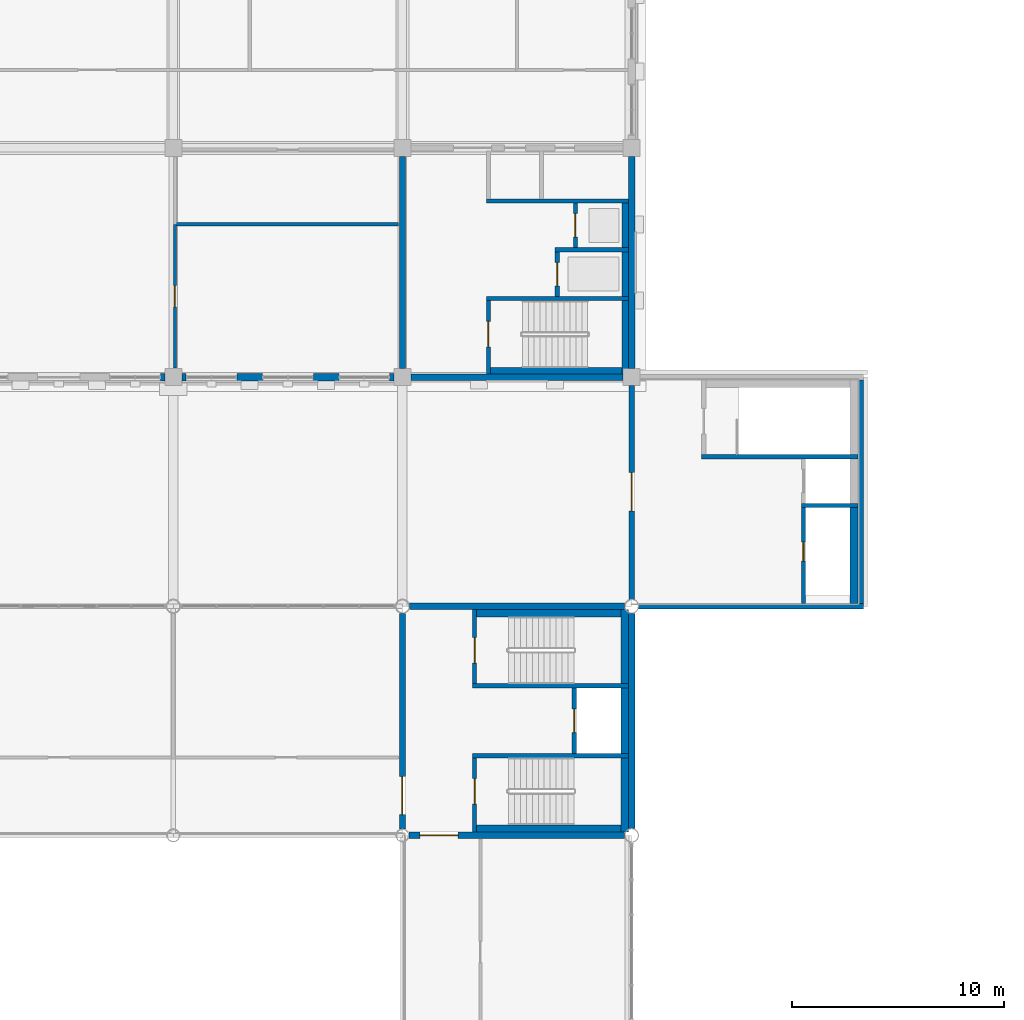
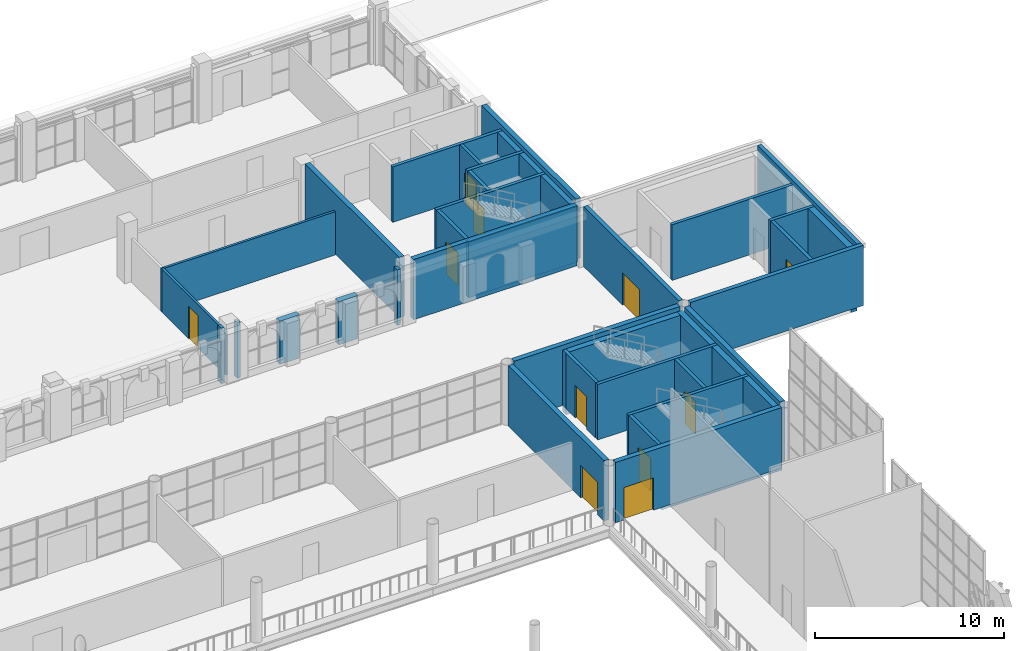
# One storey, part 71 of 95: 41 walls, 11 doors, 11 openings.
"""IFC4 building model written with IfcOpenShell, lengths in metres."""

import ifcopenshell
import ifcopenshell.guid

model = None  # the IFC model being written
_history = None  # IfcOwnerHistory: only IFC2X3 demands one
_inside = {}  # id of a spatial element -> (the spatial element, [elements in it])
_under = {}  # id of a project, library or spatial element -> (it, [spatial elements below it])
_declared = {}  # id of a project -> (the project, [libraries it declares])
_typed = {}  # id of a type object -> (the type object, [elements of that type])
_made_of = {}  # id of a material, layer set ... -> (it, [elements and type objects made of it])


def new_model(schema):
    """Start an empty IFC model of exactly this schema.

    Asked for "IFC4X3", IfcOpenShell would pick the latest addendum, in which some entities
    have other attributes; the version numbers below select the first issue.
    IFC2X3 requires an IfcOwnerHistory on every rooted entity: one is made here for all.
    """
    global model, _history
    if schema == "IFC4X3":
        model = ifcopenshell.file(schema_version=(4, 3, 0, 0))
    else:
        model = ifcopenshell.file(schema=schema)
    _inside.clear()
    _under.clear()
    _declared.clear()
    _typed.clear()
    _made_of.clear()
    _history = None
    if model.schema == "IFC2X3":
        org = make("IfcOrganization", Name="unknown")
        user = make(
            "IfcPersonAndOrganization",
            ThePerson=make("IfcPerson", FamilyName="unknown"),
            TheOrganization=org,
        )
        app = make(
            "IfcApplication",
            ApplicationDeveloper=org,
            Version="unknown",
            ApplicationFullName="unknown",
            ApplicationIdentifier="unknown",
        )
        _history = make(
            "IfcOwnerHistory",
            OwningUser=user,
            OwningApplication=app,
            ChangeAction="ADDED",
            CreationDate=0,
        )
    return model


def make(cls, **values):
    """One entity of the class cls with the attributes given. An attribute that is None is left unset."""
    return model.create_entity(
        cls, **{name: value for name, value in values.items() if value is not None}
    )


def rooted(cls, **values):
    """An entity with a GlobalId (a new one), such as an element, a storey or a relation."""
    return make(cls, GlobalId=ifcopenshell.guid.new(), OwnerHistory=_history, **values)


def si_unit(unit_type, name, prefix=None):
    """IfcSIUnit, for example si_unit("LENGTHUNIT", "METRE", prefix="MILLI")."""
    return make("IfcSIUnit", UnitType=unit_type, Prefix=prefix, Name=name)


def assignment(units):
    """IfcUnitAssignment: the units of a project."""
    return None if units is None else make("IfcUnitAssignment", Units=units)


def point(xyz):
    """IfcCartesianPoint."""
    return None if xyz is None else make("IfcCartesianPoint", Coordinates=xyz)


def direction(xyz):
    """IfcDirection."""
    return None if xyz is None else make("IfcDirection", DirectionRatios=xyz)


def frame(location, z_axis=None, x_axis=None):
    """IfcAxis2Placement3D, a coordinate frame: its origin and axes. An axis left out is left unset."""
    return make(
        "IfcAxis2Placement3D",
        Location=point(location),
        Axis=direction(z_axis),
        RefDirection=direction(x_axis),
    )


def frame_2d(location, x_axis=None):
    """IfcAxis2Placement2D, a coordinate frame in the plane: its origin and x axis."""
    return make(
        "IfcAxis2Placement2D", Location=point(location), RefDirection=direction(x_axis)
    )


def origin():
    """The frame at (0, 0, 0) with its axes left unset."""
    return frame((0.0, 0.0, 0.0))


def place(relative_to, where):
    """IfcLocalPlacement: puts the frame where relative to a parent placement (None: the world)."""
    return make(
        "IfcLocalPlacement", PlacementRelTo=relative_to, RelativePlacement=where
    )


def context(
    kind, dimensions, precision=None, world=None, true_north=None, identifier=None
):
    """IfcGeometricRepresentationContext, for example the 3D "Model" context."""
    return make(
        "IfcGeometricRepresentationContext",
        ContextIdentifier=identifier,
        ContextType=kind,
        CoordinateSpaceDimension=dimensions,
        Precision=precision,
        WorldCoordinateSystem=world,
        TrueNorth=true_north,
    )


def subcontext(parent, identifier, kind, view, scale=None):
    """IfcGeometricRepresentationSubContext, for example "Body" below "Model"."""
    return make(
        "IfcGeometricRepresentationSubContext",
        ContextIdentifier=identifier,
        ContextType=kind,
        ParentContext=parent,
        TargetScale=scale,
        TargetView=view,
    )


def project(units=None, contexts=None):
    """IfcProject with its units and contexts."""
    return rooted(
        "IfcProject",
        Name="project",
        RepresentationContexts=contexts,
        UnitsInContext=assignment(units),
    )


def spatial(cls, under=None, at=None, **own):
    """A site, building, storey or space (cls), placed at a placement, below another one or the project."""
    s = rooted(cls, ObjectPlacement=at, **own)
    if under is not None:
        _under.setdefault(under.id(), (under, []))[1].append(s)
    return s


def profile(cls, at=None, kind="AREA", **sizes):
    """A parametric profile (cls). Its sizes go by their IFC names, for example OverallWidth=200.0."""
    return make(cls, ProfileType=kind, Position=at, **sizes)


def rectangle(**sizes):
    """IfcRectangleProfileDef."""
    return profile("IfcRectangleProfileDef", **sizes)


def extrude(swept, where, along, depth):
    """IfcExtrudedAreaSolid: the profile swept, set in the frame where, extruded along a direction by depth."""
    return make(
        "IfcExtrudedAreaSolid",
        SweptArea=swept,
        Position=where,
        ExtrudedDirection=direction(along),
        Depth=depth,
    )


def shape(context_of_items, identifier, shape_type, items):
    """IfcShapeRepresentation: the items that make up one representation, for example the "Body"."""
    return make(
        "IfcShapeRepresentation",
        ContextOfItems=context_of_items,
        RepresentationIdentifier=identifier,
        RepresentationType=shape_type,
        Items=items,
    )


def material(Name=None, Category=None):
    """IfcMaterial."""
    return make("IfcMaterial", Name=Name, Category=Category)


def layer(
    of_material, thickness, ventilated=None, Name=None, Category=None, Priority=None
):
    """IfcMaterialLayer: one layer of a wall or slab, of a material (None: an air gap)."""
    return make(
        "IfcMaterialLayer",
        Material=of_material,
        LayerThickness=thickness,
        IsVentilated=ventilated,
        Name=Name,
        Category=Category,
        Priority=Priority,
    )


def layer_set(layers, Name=None):
    """IfcMaterialLayerSet."""
    return make("IfcMaterialLayerSet", MaterialLayers=layers, LayerSetName=Name)


def made_of(thing, what):
    """Note that an element or type object is made of a material, layer set ...; save() writes the relation."""
    if what is not None:
        _made_of.setdefault(what.id(), (what, []))[1].append(thing)
    return thing


def type_object(cls, material=None, **own):
    """A type object (cls), such as IfcWallType, which elements share."""
    return made_of(rooted(cls, **own), material)


def element(
    cls,
    number,
    at=None,
    inside=None,
    cuts=None,
    type_object=None,
    material=None,
    context=None,
    identifier="Body",
    shape_type=None,
    held_by="IfcProductDefinitionShape",
    body=None,
    shapes=None,
    **own,
):
    """One element of the class cls, such as IfcWall. Its Tag is "e" and its number.

    at: its placement. inside: the storey or other place that contains it. cuts: it is an
    opening in that element (IfcRelVoidsElement). A single representation is given by context,
    identifier, shape_type and body (its items); several are given by shapes. held_by: the class
    of the entity that holds the representations. save() writes the other relations.
    """
    e = rooted(cls, Tag="e%d" % number, ObjectPlacement=at, **own)
    if body is not None:
        shapes = [shape(context, identifier, shape_type, body)]
    if shapes is not None:
        e.Representation = make(held_by, Representations=shapes)
    if inside is not None:
        _inside.setdefault(inside.id(), (inside, []))[1].append(e)
    if cuts is not None:
        rooted(
            "IfcRelVoidsElement", RelatingBuildingElement=cuts, RelatedOpeningElement=e
        )
    if type_object is not None:
        _typed.setdefault(type_object.id(), (type_object, []))[1].append(e)
    return made_of(e, material)


def fill(opening, filler):
    """IfcRelFillsElement: the door or window that sits in an opening."""
    return rooted(
        "IfcRelFillsElement",
        RelatingOpeningElement=opening,
        RelatedBuildingElement=filler,
    )


def aggregate(whole, parts):
    """IfcRelAggregates: a whole, such as a stair, and the parts it consists of."""
    return rooted("IfcRelAggregates", RelatingObject=whole, RelatedObjects=parts)


def save(model, path):
    """Write the relations noted so far, then the file.

    IfcRelAggregates (storeys below a building ...), IfcRelContainedInSpatialStructure (elements
    in a storey), IfcRelDefinesByType, IfcRelAssociatesMaterial and IfcRelDeclares: one each for
    every whole, place, type object, material and project.
    """
    for whole, parts in _under.values():
        aggregate(whole, parts)
    for where, things in _inside.values():
        rooted(
            "IfcRelContainedInSpatialStructure",
            RelatedElements=things,
            RelatingStructure=where,
        )
    for kind, things in _typed.values():
        rooted("IfcRelDefinesByType", RelatedObjects=things, RelatingType=kind)
    for what, things in _made_of.values():
        rooted("IfcRelAssociatesMaterial", RelatedObjects=things, RelatingMaterial=what)
    for by, libraries in _declared.values():
        rooted("IfcRelDeclares", RelatingContext=by, RelatedDefinitions=libraries)
    model.write(path)


model = new_model("IFC4")

# Units and contexts
model_context = context("Model", 3, precision=1e-05, world=origin(), true_north=direction((0.0, 1.0)))
body_context = subcontext(model_context, "Body", "Model", "MODEL_VIEW")
ifc_project = project(units=[si_unit("LENGTHUNIT", "METRE"), si_unit("AREAUNIT", "SQUARE_METRE"), si_unit("VOLUMEUNIT", "CUBIC_METRE"), si_unit("PLANEANGLEUNIT", "RADIAN"), si_unit("MASSUNIT", "GRAM", prefix="KILO")], contexts=[model_context])

# Site, building, storey
site_placement = place(None, origin())
site = spatial("IfcSite", under=ifc_project, at=site_placement, CompositionType="ELEMENT")
building_placement = place(site_placement, origin())
building = spatial("IfcBuilding", under=site, at=building_placement, Name="Magnolia Steps Interchange", CompositionType="ELEMENT")
storey_placement = place(building_placement, frame((0.0, 0.0, 4.800048828125)))
storey = spatial("IfcBuildingStorey", under=building, at=storey_placement, Name="L01", CompositionType="ELEMENT", Elevation=4.800048828125)

# Wall, opening, door
ifc_material_1 = material(Name="Concrete C35", Category="concrete")
ifc_layer_1 = layer(ifc_material_1, 0.199951171875)
ifc_layer_set_1 = layer_set([ifc_layer_1], Name="Core enclosure wall 200")
wall_type_1 = type_object("IfcWallType", Name="Core enclosure wall 200", PredefinedType="SOLIDWALL", material=ifc_layer_set_1)
wall_1_placement = place(storey_placement, frame((110.60009765625, 85.449951171875, 0.0), z_axis=(0.0, 0.0, 1.0), x_axis=(0.0, -1.0, 0.0)))
wall_1 = element("IfcWall", 1, at=wall_1_placement, inside=storey, type_object=wall_type_1, Name="L01 HC2 enclosure wall", PredefinedType="SOLIDWALL", context=body_context, shape_type="SweptSolid", body=[
    extrude(rectangle(XDim=3.5, YDim=0.199951171875, at=frame_2d((1.75, 0.0))), origin(), (0.0, 0.0, 1.0), 3.599853515625),
])
opening_1_placement = place(wall_1_placement, frame((1.324951171875, 0.0, 0.0)))
opening_1 = element("IfcOpeningElement", 2, at=opening_1_placement, cuts=wall_1, Name="Opening D-HC2-L01-1", PredefinedType="OPENING", context=body_context, shape_type="SweptSolid", body=[
    extrude(rectangle(XDim=1.199951171875, YDim=2.10009765625, at=frame_2d((0.60009765625, 1.050048828125))), frame((0.0, 0.10986328125, 0.0), z_axis=(0.0, -1.0, 0.0), x_axis=(1.0, 0.0, 0.0)), (0.0, 0.0, 1.0), 0.219970703125),
])
ifc_material_2 = material(Name="Painted steel", Category="steel")
door_type_1 = type_object("IfcDoorType", Name="Stair fire door 1200x2100", OperationType="NOTDEFINED", PredefinedType="DOOR", material=ifc_material_2)
door_1_placement = place(opening_1_placement, frame((1.199951171875, 0.0, 0.0), z_axis=(0.0, 0.0, 1.0), x_axis=(-1.0, 0.0, 0.0)))
door_1 = element("IfcDoor", 3, at=door_1_placement, inside=storey, type_object=door_type_1, Name="Stair door ST3 L01", OperationType="SINGLE_SWING_LEFT", OverallHeight=2.10009765625, OverallWidth=1.199951171875, PredefinedType="DOOR", context=body_context, shape_type="SweptSolid", body=[
    extrude(rectangle(XDim=1.199951171875, YDim=2.10009765625, at=frame_2d((0.60009765625, 1.050048828125))), frame((0.0, 0.02490234375, 0.0), z_axis=(0.0, -1.0, 0.0), x_axis=(1.0, 0.0, 0.0)), (0.0, 0.0, 1.0), 0.050048828125),
])
fill(opening_1, door_1)

# Wall
wall_2_placement = place(storey_placement, frame((110.5, 81.85009765625, 0.0), z_axis=(0.0, 0.0, 1.0), x_axis=(1.0, 0.0, 0.0)))
element("IfcWall", 4, at=wall_2_placement, inside=storey, type_object=wall_type_1, Name="L01 HC2 enclosure wall", PredefinedType="SOLIDWALL", context=body_context, shape_type="SweptSolid", body=[
    extrude(rectangle(XDim=7.35009765625, YDim=0.199951171875, at=frame_2d((3.675048828125, 0.0))), origin(), (0.0, 0.0, 1.0), 3.599853515625),
])

# Wall, opening, door
wall_3_placement = place(storey_placement, frame((115.300048828125, 81.75, 0.0), z_axis=(0.0, 0.0, 1.0), x_axis=(0.0, -1.0, 0.0)))
wall_3 = element("IfcWall", 5, at=wall_3_placement, inside=storey, type_object=wall_type_1, Name="L01 HC2 enclosure wall", PredefinedType="SOLIDWALL", context=body_context, shape_type="SweptSolid", body=[
    extrude(rectangle(XDim=3.10009765625, YDim=0.199951171875, at=frame_2d((1.550048828125, 0.0))), origin(), (0.0, 0.0, 1.0), 3.599853515625),
])
opening_2_placement = place(wall_3_placement, frame((1.0, 0.0, 0.0)))
opening_2 = element("IfcOpeningElement", 6, at=opening_2_placement, cuts=wall_3, Name="Opening LD", PredefinedType="OPENING", context=body_context, shape_type="SweptSolid", body=[
    extrude(rectangle(XDim=1.10009765625, YDim=2.10009765625, at=frame_2d((0.550048828125, 1.050048828125))), frame((0.0, 0.10986328125, 0.0), z_axis=(0.0, -1.0, 0.0), x_axis=(1.0, 0.0, 0.0)), (0.0, 0.0, 1.0), 0.219970703125),
])
ifc_material_3 = material(Name="Stainless steel grade 304", Category="steel")
door_type_2 = type_object("IfcDoorType", Name="Lift landing door 1100x2100", OperationType="DOUBLE_DOOR_SLIDING", PredefinedType="DOOR", material=ifc_material_3)
door_2_placement = place(opening_2_placement, frame((1.10009765625, 0.0, 0.0), z_axis=(0.0, 0.0, 1.0), x_axis=(-1.0, 0.0, 0.0)))
door_2 = element("IfcDoor", 7, at=door_2_placement, inside=storey, type_object=door_type_2, Name="Lift landing door LF2 L01", OperationType="DOUBLE_DOOR_SLIDING", OverallHeight=2.10009765625, OverallWidth=1.10009765625, PredefinedType="DOOR", context=body_context, shape_type="SweptSolid", body=[
    extrude(rectangle(XDim=1.10009765625, YDim=2.10009765625, at=frame_2d((0.550048828125, 1.050048828125))), frame((0.0, 0.02490234375, 0.0), z_axis=(0.0, -1.0, 0.0), x_axis=(1.0, 0.0, 0.0)), (0.0, 0.0, 1.0), 0.050048828125),
])
fill(opening_2, door_2)

# Wall
wall_4_placement = place(storey_placement, frame((110.5, 78.550048828125, 0.0), z_axis=(0.0, 0.0, 1.0), x_axis=(1.0, 0.0, 0.0)))
element("IfcWall", 8, at=wall_4_placement, inside=storey, type_object=wall_type_1, Name="L01 HC2 enclosure wall", PredefinedType="SOLIDWALL", context=body_context, shape_type="SweptSolid", body=[
    extrude(rectangle(XDim=7.35009765625, YDim=0.199951171875, at=frame_2d((3.675048828125, 0.0))), origin(), (0.0, 0.0, 1.0), 3.599853515625),
])

# Wall, opening, door
wall_5_placement = place(storey_placement, frame((110.60009765625, 78.449951171875, 0.0), z_axis=(0.0, 0.0, 1.0), x_axis=(0.0, -1.0, 0.0)))
wall_5 = element("IfcWall", 9, at=wall_5_placement, inside=storey, type_object=wall_type_1, Name="L01 HC2 enclosure wall", PredefinedType="SOLIDWALL", context=body_context, shape_type="SweptSolid", body=[
    extrude(rectangle(XDim=3.5, YDim=0.199951171875, at=frame_2d((1.75, 0.0))), origin(), (0.0, 0.0, 1.0), 3.599853515625),
])
opening_3_placement = place(wall_5_placement, frame((0.97509765625, 0.0, 0.0)))
opening_3 = element("IfcOpeningElement", 10, at=opening_3_placement, cuts=wall_5, Name="Opening D-HC2-L01-2", PredefinedType="OPENING", context=body_context, shape_type="SweptSolid", body=[
    extrude(rectangle(XDim=1.199951171875, YDim=2.10009765625, at=frame_2d((0.60009765625, 1.050048828125))), frame((0.0, 0.10986328125, 0.0), z_axis=(0.0, -1.0, 0.0), x_axis=(1.0, 0.0, 0.0)), (0.0, 0.0, 1.0), 0.219970703125),
])
door_3_placement = place(opening_3_placement, frame((1.199951171875, 0.0, 0.0), z_axis=(0.0, 0.0, 1.0), x_axis=(-1.0, 0.0, 0.0)))
door_3 = element("IfcDoor", 11, at=door_3_placement, inside=storey, type_object=door_type_1, Name="Stair door ST4 L01", OperationType="SINGLE_SWING_RIGHT", OverallHeight=2.10009765625, OverallWidth=1.199951171875, PredefinedType="DOOR", context=body_context, shape_type="SweptSolid", body=[
    extrude(rectangle(XDim=1.199951171875, YDim=2.10009765625, at=frame_2d((0.60009765625, 1.050048828125))), frame((0.0, 0.02490234375, 0.0), z_axis=(0.0, -1.0, 0.0), x_axis=(1.0, 0.0, 0.0)), (0.0, 0.0, 1.0), 0.050048828125),
])
fill(opening_3, door_3)

# Walls
wall_6_placement = place(storey_placement, frame((121.300048828125, 92.64990234375, 0.0), z_axis=(0.0, 0.0, 1.0), x_axis=(1.0, 0.0, 0.0)))
element("IfcWall", 12, at=wall_6_placement, inside=storey, type_object=wall_type_1, Name="L01 WC-E enclosure wall", PredefinedType="SOLIDWALL", context=body_context, shape_type="SweptSolid", body=[
    extrude(rectangle(XDim=7.375, YDim=0.199951171875, at=frame_2d((3.6875, 0.0))), origin(), (0.0, 0.0, 1.0), 3.599853515625),
])
wall_7_placement = place(storey_placement, frame((126.0, 90.35009765625, 0.0), z_axis=(0.0, 0.0, 1.0), x_axis=(1.0, 0.0, 0.0)))
element("IfcWall", 13, at=wall_7_placement, inside=storey, type_object=wall_type_1, Name="L01 WC-E enclosure wall", PredefinedType="SOLIDWALL", context=body_context, shape_type="SweptSolid", body=[
    extrude(rectangle(XDim=2.675048828125, YDim=0.199951171875, at=frame_2d((1.33740234375, 0.0))), origin(), (0.0, 0.0, 1.0), 3.599853515625),
])

# Wall, opening, door
wall_8_placement = place(storey_placement, frame((126.10009765625, 90.25, 0.0), z_axis=(0.0, 0.0, 1.0), x_axis=(0.0, -1.0, 0.0)))
wall_8 = element("IfcWall", 14, at=wall_8_placement, inside=storey, type_object=wall_type_1, Name="L01 WC-E enclosure wall", PredefinedType="SOLIDWALL", context=body_context, shape_type="SweptSolid", body=[
    extrude(rectangle(XDim=4.52490234375, YDim=0.199951171875, at=frame_2d((2.262451171875, 0.0))), origin(), (0.0, 0.0, 1.0), 3.599853515625),
])
opening_4_placement = place(wall_8_placement, frame((1.625, 0.0, 0.0)))
opening_4 = element("IfcOpeningElement", 15, at=opening_4_placement, cuts=wall_8, Name="Opening D-WC-E-L01-2", PredefinedType="OPENING", context=body_context, shape_type="SweptSolid", body=[
    extrude(rectangle(XDim=0.89990234375, YDim=2.10009765625, at=frame_2d((0.449951171875, 1.050048828125))), frame((0.0, 0.10986328125, 0.0), z_axis=(0.0, -1.0, 0.0), x_axis=(1.0, 0.0, 0.0)), (0.0, 0.0, 1.0), 0.219970703125),
])
ifc_material_4 = material(Name="Painted steel", Category="steel")
door_type_3 = type_object("IfcDoorType", Name="Riser door 900x2100", OperationType="NOTDEFINED", PredefinedType="DOOR", material=ifc_material_4)
door_4_placement = place(opening_4_placement, frame((0.89990234375, 0.0, 0.0), z_axis=(0.0, 0.0, 1.0), x_axis=(-1.0, 0.0, 0.0)))
door_4 = element("IfcDoor", 16, at=door_4_placement, inside=storey, type_object=door_type_3, Name="Riser door WC-E L01", OperationType="SINGLE_SWING_RIGHT", OverallHeight=2.10009765625, OverallWidth=0.89990234375, PredefinedType="DOOR", context=body_context, shape_type="SweptSolid", body=[
    extrude(rectangle(XDim=0.89990234375, YDim=2.10009765625, at=frame_2d((0.449951171875, 1.050048828125))), frame((0.0, 0.02490234375, 0.0), z_axis=(0.0, -1.0, 0.0), x_axis=(1.0, 0.0, 0.0)), (0.0, 0.0, 1.0), 0.050048828125),
])
fill(opening_4, door_4)

# Wall
wall_9_placement = place(storey_placement, frame((111.14990234375, 104.699951171875, 0.0), z_axis=(0.0, 0.0, 1.0), x_axis=(1.0, 0.0, 0.0)))
element("IfcWall", 17, at=wall_9_placement, inside=storey, type_object=wall_type_1, Name="L01 OC-E enclosure wall", PredefinedType="SOLIDWALL", context=body_context, shape_type="SweptSolid", body=[
    extrude(rectangle(XDim=6.7001953125, YDim=0.199951171875, at=frame_2d((3.35009765625, 0.0))), origin(), (0.0, 0.0, 1.0), 3.599853515625),
])

# Wall, opening, door
wall_10_placement = place(storey_placement, frame((115.35009765625, 104.60009765625, 0.0), z_axis=(0.0, 0.0, 1.0), x_axis=(0.0, -1.0, 0.0)))
wall_10 = element("IfcWall", 18, at=wall_10_placement, inside=storey, type_object=wall_type_1, Name="L01 OC-E enclosure wall", PredefinedType="SOLIDWALL", context=body_context, shape_type="SweptSolid", body=[
    extrude(rectangle(XDim=2.10009765625, YDim=0.199951171875, at=frame_2d((1.050048828125, 0.0))), origin(), (0.0, 0.0, 1.0), 3.599853515625),
])
opening_5_placement = place(wall_10_placement, frame((0.5, 0.0, 0.0)))
opening_5 = element("IfcOpeningElement", 19, at=opening_5_placement, cuts=wall_10, Name="Opening LD", PredefinedType="OPENING", context=body_context, shape_type="SweptSolid", body=[
    extrude(rectangle(XDim=1.10009765625, YDim=2.10009765625, at=frame_2d((0.550048828125, 1.050048828125))), frame((0.0, 0.10986328125, 0.0), z_axis=(0.0, -1.0, 0.0), x_axis=(1.0, 0.0, 0.0)), (0.0, 0.0, 1.0), 0.219970703125),
])
door_5_placement = place(opening_5_placement, frame((1.10009765625, 0.0, 0.0), z_axis=(0.0, 0.0, 1.0), x_axis=(-1.0, 0.0, 0.0)))
door_5 = element("IfcDoor", 20, at=door_5_placement, inside=storey, type_object=door_type_2, Name="Lift landing door LF17 L01", OperationType="DOUBLE_DOOR_SLIDING", OverallHeight=2.10009765625, OverallWidth=1.10009765625, PredefinedType="DOOR", context=body_context, shape_type="SweptSolid", body=[
    extrude(rectangle(XDim=1.10009765625, YDim=2.10009765625, at=frame_2d((0.550048828125, 1.050048828125))), frame((0.0, 0.02490234375, 0.0), z_axis=(0.0, -1.0, 0.0), x_axis=(1.0, 0.0, 0.0)), (0.0, 0.0, 1.0), 0.050048828125),
])
fill(opening_5, door_5)

# Wall
wall_11_placement = place(storey_placement, frame((114.39990234375, 102.39990234375, 0.0), z_axis=(0.0, 0.0, 1.0), x_axis=(1.0, 0.0, 0.0)))
element("IfcWall", 21, at=wall_11_placement, inside=storey, type_object=wall_type_1, Name="L01 OC-E enclosure wall", PredefinedType="SOLIDWALL", context=body_context, shape_type="SweptSolid", body=[
    extrude(rectangle(XDim=3.4501953125, YDim=0.199951171875, at=frame_2d((1.72509765625, 0.0))), origin(), (0.0, 0.0, 1.0), 3.599853515625),
])

# Wall, opening, door
wall_12_placement = place(storey_placement, frame((114.5, 102.300048828125, 0.0), z_axis=(0.0, 0.0, 1.0), x_axis=(0.0, -1.0, 0.0)))
wall_12 = element("IfcWall", 22, at=wall_12_placement, inside=storey, type_object=wall_type_1, Name="L01 OC-E enclosure wall", PredefinedType="SOLIDWALL", context=body_context, shape_type="SweptSolid", body=[
    extrude(rectangle(XDim=2.10009765625, YDim=0.199951171875, at=frame_2d((1.050048828125, 0.0))), origin(), (0.0, 0.0, 1.0), 3.599853515625),
])
opening_6_placement = place(wall_12_placement, frame((0.5, 0.0, 0.0)))
opening_6 = element("IfcOpeningElement", 23, at=opening_6_placement, cuts=wall_12, Name="Opening LD", PredefinedType="OPENING", context=body_context, shape_type="SweptSolid", body=[
    extrude(rectangle(XDim=1.10009765625, YDim=2.10009765625, at=frame_2d((0.550048828125, 1.050048828125))), frame((0.0, 0.10986328125, 0.0), z_axis=(0.0, -1.0, 0.0), x_axis=(1.0, 0.0, 0.0)), (0.0, 0.0, 1.0), 0.219970703125),
])
door_6_placement = place(opening_6_placement, frame((1.10009765625, 0.0, 0.0), z_axis=(0.0, 0.0, 1.0), x_axis=(-1.0, 0.0, 0.0)))
door_6 = element("IfcDoor", 24, at=door_6_placement, inside=storey, type_object=door_type_2, Name="Lift landing door LF18 L01", OperationType="DOUBLE_DOOR_SLIDING", OverallHeight=2.10009765625, OverallWidth=1.10009765625, PredefinedType="DOOR", context=body_context, shape_type="SweptSolid", body=[
    extrude(rectangle(XDim=1.10009765625, YDim=2.10009765625, at=frame_2d((0.550048828125, 1.050048828125))), frame((0.0, 0.02490234375, 0.0), z_axis=(0.0, -1.0, 0.0), x_axis=(1.0, 0.0, 0.0)), (0.0, 0.0, 1.0), 0.050048828125),
])
fill(opening_6, door_6)

# Wall
wall_13_placement = place(storey_placement, frame((111.14990234375, 100.10009765625, 0.0), z_axis=(0.0, 0.0, 1.0), x_axis=(1.0, 0.0, 0.0)))
element("IfcWall", 25, at=wall_13_placement, inside=storey, type_object=wall_type_1, Name="L01 OC-E enclosure wall", PredefinedType="SOLIDWALL", context=body_context, shape_type="SweptSolid", body=[
    extrude(rectangle(XDim=6.7001953125, YDim=0.199951171875, at=frame_2d((3.35009765625, 0.0))), origin(), (0.0, 0.0, 1.0), 3.599853515625),
])

# Wall, opening, door
wall_14_placement = place(storey_placement, frame((111.25, 100.0, 0.0), z_axis=(0.0, 0.0, 1.0), x_axis=(0.0, -1.0, 0.0)))
wall_14 = element("IfcWall", 26, at=wall_14_placement, inside=storey, type_object=wall_type_1, Name="L01 OC-E enclosure wall", PredefinedType="SOLIDWALL", context=body_context, shape_type="SweptSolid", body=[
    extrude(rectangle(XDim=3.449951171875, YDim=0.199951171875, at=frame_2d((1.72509765625, 0.0))), origin(), (0.0, 0.0, 1.0), 3.599853515625),
])
opening_7_placement = place(wall_14_placement, frame((0.97509765625, 0.0, 0.0)))
opening_7 = element("IfcOpeningElement", 27, at=opening_7_placement, cuts=wall_14, Name="Opening D-OC-E-L01-1", PredefinedType="OPENING", context=body_context, shape_type="SweptSolid", body=[
    extrude(rectangle(XDim=1.199951171875, YDim=2.10009765625, at=frame_2d((0.60009765625, 1.050048828125))), frame((0.0, 0.10986328125, 0.0), z_axis=(0.0, -1.0, 0.0), x_axis=(1.0, 0.0, 0.0)), (0.0, 0.0, 1.0), 0.219970703125),
])
door_7_placement = place(opening_7_placement, frame((1.199951171875, 0.0, 0.0), z_axis=(0.0, 0.0, 1.0), x_axis=(-1.0, 0.0, 0.0)))
door_7 = element("IfcDoor", 28, at=door_7_placement, inside=storey, type_object=door_type_1, Name="Stair door ST29 L01", OperationType="SINGLE_SWING_RIGHT", OverallHeight=2.10009765625, OverallWidth=1.199951171875, PredefinedType="DOOR", context=body_context, shape_type="SweptSolid", body=[
    extrude(rectangle(XDim=1.199951171875, YDim=2.10009765625, at=frame_2d((0.60009765625, 1.050048828125))), frame((0.0, 0.02490234375, 0.0), z_axis=(0.0, -1.0, 0.0), x_axis=(1.0, 0.0, 0.0)), (0.0, 0.0, 1.0), 0.050048828125),
])
fill(opening_7, door_7)

# Walls
ifc_material_5 = material(Name="Concrete C35", Category="concrete")
ifc_layer_2 = layer(ifc_material_5, 0.300048828125)
ifc_layer_set_2 = layer_set([ifc_layer_2], Name="Core lining wall 300")
wall_type_2 = type_object("IfcWallType", Name="Core lining wall 300", PredefinedType="SOLIDWALL", material=ifc_layer_set_2)
wall_15_placement = place(storey_placement, frame((111.14990234375, 96.699951171875, 0.0), z_axis=(0.0, 0.0, 1.0), x_axis=(1.0, 0.0, 0.0)))
element("IfcWall", 29, at=wall_15_placement, inside=storey, type_object=wall_type_2, Name="L01 OC-E stair lining wall", PredefinedType="SOLIDWALL", context=body_context, shape_type="SweptSolid", body=[
    extrude(rectangle(XDim=6.7001953125, YDim=0.300048828125, at=frame_2d((3.35009765625, 0.0))), origin(), (0.0, 0.0, 1.0), 3.599853515625),
])
wall_16_placement = place(storey_placement, frame((117.699951171875, 100.0, 0.0), z_axis=(0.0, 0.0, 1.0), x_axis=(0.0, -1.0, 0.0)))
element("IfcWall", 30, at=wall_16_placement, inside=storey, type_object=wall_type_2, Name="L01 OC-E stair lining wall", PredefinedType="SOLIDWALL", context=body_context, shape_type="SweptSolid", body=[
    extrude(rectangle(XDim=3.449951171875, YDim=0.300048828125, at=frame_2d((1.72509765625, 0.0))), origin(), (0.0, 0.0, 1.0), 3.599853515625),
])
for number, where, z_axis, x_axis, name in (
    (31, (117.699951171875, 104.60009765625, 0.0), (0.0, 0.0, 1.0), (0.0, -1.0, 0.0), "L01 OC-E stair lining wall"),
    (32, (117.699951171875, 102.300048828125, 0.0), (0.0, 0.0, 1.0), (0.0, -1.0, 0.0), "L01 OC-E stair lining wall"),
):
    element("IfcWall", number, at=place(storey_placement, frame(where, z_axis=z_axis, x_axis=x_axis)), inside=storey, type_object=wall_type_2, Name=name, PredefinedType="SOLIDWALL", context=body_context, shape_type="SweptSolid", body=[
        extrude(rectangle(XDim=2.10009765625, YDim=0.300048828125, at=frame_2d((1.050048828125, 0.0))), origin(), (0.0, 0.0, 1.0), 3.599853515625),
    ])
ifc_material_6 = material(Name="Concrete C35", Category="concrete")
ifc_layer_3 = layer(ifc_material_6, 0.35009765625)
ifc_layer_set_3 = layer_set([ifc_layer_3], Name="Core lining wall 350")
wall_type_3 = type_object("IfcWallType", Name="Core lining wall 350", PredefinedType="SOLIDWALL", material=ifc_layer_set_3)
wall_17_placement = place(storey_placement, frame((110.5, 85.27490234375, -0.400146484375), z_axis=(0.0, 0.0, 1.0), x_axis=(1.0, 0.0, 0.0)))
element("IfcWall", 33, at=wall_17_placement, inside=storey, type_object=wall_type_3, Name="L01 HC2 stair lining wall", PredefinedType="SOLIDWALL", context=body_context, shape_type="SweptSolid", body=[
    extrude(rectangle(XDim=7.35009765625, YDim=0.35009765625, at=frame_2d((3.675048828125, 0.0))), origin(), (0.0, 0.0, 1.0), 4.0),
])
wall_18_placement = place(storey_placement, frame((117.675048828125, 85.449951171875, -0.400146484375), z_axis=(0.0, 0.0, 1.0), x_axis=(0.0, -1.0, 0.0)))
element("IfcWall", 34, at=wall_18_placement, inside=storey, type_object=wall_type_3, Name="L01 HC2 stair lining wall", PredefinedType="SOLIDWALL", context=body_context, shape_type="SweptSolid", body=[
    extrude(rectangle(XDim=3.5, YDim=0.35009765625, at=frame_2d((1.75, 0.0))), origin(), (0.0, 0.0, 1.0), 4.0),
])
wall_19_placement = place(storey_placement, frame((110.5, 75.125, -0.400146484375), z_axis=(0.0, 0.0, 1.0), x_axis=(1.0, 0.0, 0.0)))
element("IfcWall", 35, at=wall_19_placement, inside=storey, type_object=wall_type_3, Name="L01 HC2 stair lining wall", PredefinedType="SOLIDWALL", context=body_context, shape_type="SweptSolid", body=[
    extrude(rectangle(XDim=7.35009765625, YDim=0.35009765625, at=frame_2d((3.675048828125, 0.0))), origin(), (0.0, 0.0, 1.0), 4.0),
])
wall_20_placement = place(storey_placement, frame((117.675048828125, 78.449951171875, -0.400146484375), z_axis=(0.0, 0.0, 1.0), x_axis=(0.0, -1.0, 0.0)))
element("IfcWall", 36, at=wall_20_placement, inside=storey, type_object=wall_type_3, Name="L01 HC2 stair lining wall", PredefinedType="SOLIDWALL", context=body_context, shape_type="SweptSolid", body=[
    extrude(rectangle(XDim=3.5, YDim=0.35009765625, at=frame_2d((1.75, 0.0))), origin(), (0.0, 0.0, 1.0), 4.0),
])
wall_21_placement = place(storey_placement, frame((117.675048828125, 81.75, -0.400146484375), z_axis=(0.0, 0.0, 1.0), x_axis=(0.0, -1.0, 0.0)))
element("IfcWall", 37, at=wall_21_placement, inside=storey, type_object=wall_type_3, Name="L01 HC2 stair lining wall", PredefinedType="SOLIDWALL", context=body_context, shape_type="SweptSolid", body=[
    extrude(rectangle(XDim=3.10009765625, YDim=0.35009765625, at=frame_2d((1.550048828125, 0.0))), origin(), (0.0, 0.0, 1.0), 4.0),
])
ifc_material_7 = material(Name="Concrete C35", Category="concrete")
ifc_layer_4 = layer(ifc_material_7, 0.375)
ifc_layer_set_4 = layer_set([ifc_layer_4], Name="Core lining wall 375")
wall_type_4 = type_object("IfcWallType", Name="Core lining wall 375", PredefinedType="SOLIDWALL", material=ifc_layer_set_4)
wall_22_placement = place(storey_placement, frame((128.487548828125, 90.25, -0.400146484375), z_axis=(0.0, 0.0, 1.0), x_axis=(0.0, -1.0, 0.0)))
element("IfcWall", 38, at=wall_22_placement, inside=storey, type_object=wall_type_4, Name="L01 WC-E stair lining wall", PredefinedType="SOLIDWALL", context=body_context, shape_type="SweptSolid", body=[
    extrude(rectangle(XDim=4.52490234375, YDim=0.375, at=frame_2d((2.262451171875, 0.0))), origin(), (0.0, 0.0, 1.0), 4.0),
])
ifc_material_8 = material(Name="Concrete C40", Category="concrete")
ifc_layer_5 = layer(ifc_material_8, 0.25)
ifc_layer_set_5 = layer_set([ifc_layer_5], Name="Core wall 250")
wall_type_5 = type_object("IfcWallType", Name="Core wall 250", PredefinedType="SOLIDWALL", material=ifc_layer_set_5)
wall_23_placement = place(storey_placement, frame((118.330078125, 85.60009765625, 0.0), z_axis=(0.0, 0.0, 1.0), x_axis=(1.0, 0.0, 0.0)))
element("IfcWall", 39, at=wall_23_placement, inside=storey, type_object=wall_type_5, Name="Core wall WC-E", PredefinedType="SOLIDWALL", context=body_context, shape_type="SweptSolid", body=[
    extrude(rectangle(XDim=10.594970703125, YDim=0.25, at=frame_2d((5.29736328125, 0.0))), origin(), (0.0, 0.0, 1.0), 3.89990234375),
])
wall_24_placement = place(storey_placement, frame((128.800048828125, 85.72509765625, 0.0), z_axis=(0.0, 0.0, 1.0), x_axis=(0.0, 1.0, 0.0)))
element("IfcWall", 40, at=wall_24_placement, inside=storey, type_object=wall_type_5, Name="Core wall WC-E", PredefinedType="SOLIDWALL", context=body_context, shape_type="SweptSolid", body=[
    extrude(rectangle(XDim=10.5498046875, YDim=0.25, at=frame_2d((5.27490234375, 0.0))), origin(), (0.0, 0.0, 1.0), 3.89990234375),
])

# Wall, opening, door
wall_25_placement = place(storey_placement, frame((118.0, 96.0, 0.0), z_axis=(0.0, 0.0, 1.0), x_axis=(0.0, -1.0, 0.0)))
wall_25 = element("IfcWall", 41, at=wall_25_placement, inside=storey, type_object=wall_type_5, Name="Core wall WC-E", PredefinedType="SOLIDWALL", context=body_context, shape_type="SweptSolid", body=[
    extrude(rectangle(XDim=10.070068359375, YDim=0.25, at=frame_2d((5.03515625, 0.0))), origin(), (0.0, 0.0, 1.0), 3.89990234375),
])
opening_8_placement = place(wall_25_placement, frame((4.10009765625, 0.0, 0.0)))
opening_8 = element("IfcOpeningElement", 42, at=opening_8_placement, cuts=wall_25, Name="Opening D-WC-E-L01-3", PredefinedType="OPENING", context=body_context, shape_type="SweptSolid", body=[
    extrude(rectangle(XDim=1.800048828125, YDim=2.10009765625, at=frame_2d((0.89990234375, 1.050048828125))), frame((0.0, 0.135009765625, 0.0), z_axis=(0.0, -1.0, 0.0), x_axis=(1.0, 0.0, 0.0)), (0.0, 0.0, 1.0), 0.27001953125),
])
ifc_material_9 = material(Name="Timber and glass", Category="wood")
door_type_4 = type_object("IfcDoorType", Name="Core entrance door pair 1800x2100", OperationType="DOUBLE_DOOR_DOUBLE_SWING", PredefinedType="DOOR", material=ifc_material_9)
door_8_placement = place(opening_8_placement, frame((1.800048828125, 0.0, 0.0), z_axis=(0.0, 0.0, 1.0), x_axis=(-1.0, 0.0, 0.0)))
door_8 = element("IfcDoor", 43, at=door_8_placement, inside=storey, type_object=door_type_4, Name="Core entrance door WC-E L01", OperationType="DOUBLE_DOOR_DOUBLE_SWING", OverallHeight=2.10009765625, OverallWidth=1.800048828125, PredefinedType="DOOR", context=body_context, shape_type="SweptSolid", body=[
    extrude(rectangle(XDim=1.800048828125, YDim=2.10009765625, at=frame_2d((0.89990234375, 1.050048828125))), frame((0.0, 0.02490234375, 0.0), z_axis=(0.0, -1.0, 0.0), x_axis=(1.0, 0.0, 0.0)), (0.0, 0.0, 1.0), 0.050048828125),
])
fill(opening_8, door_8)

ifc_material_10 = material(Name="Concrete C40", Category="concrete")
ifc_layer_6 = layer(ifc_material_10, 0.300048828125)
ifc_layer_set_6 = layer_set([ifc_layer_6], Name="Core wall 300")
wall_type_6 = type_object("IfcWallType", Name="Core wall 300", PredefinedType="SOLIDWALL", material=ifc_layer_set_6)
wall_26_placement = place(storey_placement, frame((107.5048828125, 74.800048828125, 0.0), z_axis=(0.0, 0.0, 1.0), x_axis=(1.0, 0.0, 0.0)))
wall_26 = element("IfcWall", 44, at=wall_26_placement, inside=storey, type_object=wall_type_6, Name="Core wall HC2", PredefinedType="SOLIDWALL", context=body_context, shape_type="SweptSolid", body=[
    extrude(rectangle(XDim=10.1650390625, YDim=0.300048828125, at=frame_2d((5.08251953125, 0.0))), origin(), (0.0, 0.0, 1.0), 3.89990234375),
])
opening_9_placement = place(wall_26_placement, frame((0.52001953125, 0.0, 0.0)))
opening_9 = element("IfcOpeningElement", 45, at=opening_9_placement, cuts=wall_26, Name="Opening D-HC2-L01-4", PredefinedType="OPENING", context=body_context, shape_type="SweptSolid", body=[
    extrude(rectangle(XDim=1.800048828125, YDim=2.10009765625, at=frame_2d((0.89990234375, 1.050048828125))), frame((0.0, 0.159912109375, 0.0), z_axis=(0.0, -1.0, 0.0), x_axis=(1.0, 0.0, 0.0)), (0.0, 0.0, 1.0), 0.320068359375),
])
door_9_placement = place(opening_9_placement, frame((1.800048828125, 0.0, 0.0), z_axis=(0.0, 0.0, 1.0), x_axis=(-1.0, 0.0, 0.0)))
door_9 = element("IfcDoor", 46, at=door_9_placement, inside=storey, type_object=door_type_4, Name="Core entrance door HC2 L01", OperationType="DOUBLE_DOOR_DOUBLE_SWING", OverallHeight=2.10009765625, OverallWidth=1.800048828125, PredefinedType="DOOR", context=body_context, shape_type="SweptSolid", body=[
    extrude(rectangle(XDim=1.800048828125, YDim=2.10009765625, at=frame_2d((0.89990234375, 1.050048828125))), frame((0.0, 0.02490234375, 0.0), z_axis=(0.0, -1.0, 0.0), x_axis=(1.0, 0.0, 0.0)), (0.0, 0.0, 1.0), 0.050048828125),
])
fill(opening_9, door_9)

# Walls
wall_27_placement = place(storey_placement, frame((118.0, 75.1298828125, 0.0), z_axis=(0.0, 0.0, 1.0), x_axis=(0.0, 1.0, 0.0)))
element("IfcWall", 47, at=wall_27_placement, inside=storey, type_object=wall_type_6, Name="Core wall HC2", PredefinedType="SOLIDWALL", context=body_context, shape_type="SweptSolid", body=[
    extrude(rectangle(XDim=10.14013671875, YDim=0.300048828125, at=frame_2d((5.070068359375, 0.0))), origin(), (0.0, 0.0, 1.0), 3.89990234375),
])
wall_28_placement = place(storey_placement, frame((117.669921875, 85.60009765625, 0.0), z_axis=(0.0, 0.0, 1.0), x_axis=(-1.0, 0.0, 0.0)))
element("IfcWall", 48, at=wall_28_placement, inside=storey, type_object=wall_type_6, Name="Core wall HC2", PredefinedType="SOLIDWALL", context=body_context, shape_type="SweptSolid", body=[
    extrude(rectangle(XDim=10.139892578125, YDim=0.300048828125, at=frame_2d((5.06982421875, 0.0))), origin(), (0.0, 0.0, 1.0), 3.89990234375),
])

# Wall, opening, door
wall_29_placement = place(storey_placement, frame((107.199951171875, 85.27001953125, 0.0), z_axis=(0.0, 0.0, 1.0), x_axis=(0.0, -1.0, 0.0)))
wall_29 = element("IfcWall", 49, at=wall_29_placement, inside=storey, type_object=wall_type_6, Name="Core wall HC2", PredefinedType="SOLIDWALL", context=body_context, shape_type="SweptSolid", body=[
    extrude(rectangle(XDim=10.1650390625, YDim=0.300048828125, at=frame_2d((5.08251953125, 0.0))), origin(), (0.0, 0.0, 1.0), 3.89990234375),
])
opening_10_placement = place(wall_29_placement, frame((7.695068359375, 0.0, 0.0)))
opening_10 = element("IfcOpeningElement", 50, at=opening_10_placement, cuts=wall_29, Name="Opening D-HC2-L01-3", PredefinedType="OPENING", context=body_context, shape_type="SweptSolid", body=[
    extrude(rectangle(XDim=1.800048828125, YDim=2.10009765625, at=frame_2d((0.89990234375, 1.050048828125))), frame((0.0, 0.159912109375, 0.0), z_axis=(0.0, -1.0, 0.0), x_axis=(1.0, 0.0, 0.0)), (0.0, 0.0, 1.0), 0.320068359375),
])
door_10_placement = place(opening_10_placement, frame((1.800048828125, 0.0, 0.0), z_axis=(0.0, 0.0, 1.0), x_axis=(-1.0, 0.0, 0.0)))
door_10 = element("IfcDoor", 51, at=door_10_placement, inside=storey, type_object=door_type_4, Name="Core entrance door HC2 L01", OperationType="DOUBLE_DOOR_DOUBLE_SWING", OverallHeight=2.10009765625, OverallWidth=1.800048828125, PredefinedType="DOOR", context=body_context, shape_type="SweptSolid", body=[
    extrude(rectangle(XDim=1.800048828125, YDim=2.10009765625, at=frame_2d((0.89990234375, 1.050048828125))), frame((0.0, 0.02490234375, 0.0), z_axis=(0.0, -1.0, 0.0), x_axis=(1.0, 0.0, 0.0)), (0.0, 0.0, 1.0), 0.050048828125),
])
fill(opening_10, door_10)

# Walls
for number, where, z_axis, x_axis, name in (
    (52, (107.60009765625, 96.39990234375, 0.0), (0.0, 0.0, 1.0), (1.0, 0.0, 0.0), "Core wall OC-E"),
    (53, (118.0, 96.800048828125, 0.0), (0.0, 0.0, 1.0), (0.0, 1.0, 0.0), "Core wall OC-E"),
    (54, (107.199951171875, 106.800048828125, 0.0), (0.0, 0.0, 1.0), (0.0, -1.0, 0.0), "Core wall OC-E"),
):
    element("IfcWall", number, at=place(storey_placement, frame(where, z_axis=z_axis, x_axis=x_axis)), inside=storey, type_object=wall_type_6, Name=name, PredefinedType="SOLIDWALL", context=body_context, shape_type="SweptSolid", body=[
        extrude(rectangle(XDim=10.0, YDim=0.300048828125, at=frame_2d((5.0, 0.0))), origin(), (0.0, 0.0, 1.0), 3.89990234375),
    ])
ifc_material_11 = material(Name="Lime render on masonry", Category="masonry")
ifc_layer_7 = layer(ifc_material_11, 0.35009765625)
ifc_layer_set_7 = layer_set([ifc_layer_7], Name="Lime render wall 350")
wall_type_7 = type_object("IfcWallType", Name="Lime render wall 350", PredefinedType="SOLIDWALL", material=ifc_layer_set_7)
for number, where, z_axis, x_axis, name in (
    (55, (95.800048828125, 96.39990234375, 0.0), (0.0, 0.0, 1.0), (1.0, 0.0, 0.0), "Operations lobby south pier 11"),
    (56, (96.800048828125, 96.39990234375, 0.0), (0.0, 0.0, 1.0), (1.0, 0.0, 0.0), "Operations lobby south pier 11"),
):
    element("IfcWall", number, at=place(storey_placement, frame(where, z_axis=z_axis, x_axis=x_axis)), inside=storey, type_object=wall_type_7, Name=name, PredefinedType="SOLIDWALL", context=body_context, shape_type="SweptSolid", body=[
        extrude(rectangle(XDim=0.199951171875, YDim=0.35009765625, at=frame_2d((0.10009765625, 0.0))), origin(), (0.0, 0.0, 1.0), 3.599853515625),
    ])
wall_30_placement = place(storey_placement, frame((99.39990234375, 96.39990234375, 0.0), z_axis=(0.0, 0.0, 1.0), x_axis=(1.0, 0.0, 0.0)))
element("IfcWall", 57, at=wall_30_placement, inside=storey, type_object=wall_type_7, Name="Operations lobby south pier 13", PredefinedType="SOLIDWALL", context=body_context, shape_type="SweptSolid", body=[
    extrude(rectangle(XDim=1.2001953125, YDim=0.35009765625, at=frame_2d((0.60009765625, 0.0))), origin(), (0.0, 0.0, 1.0), 2.800048828125),
])
wall_31_placement = place(storey_placement, frame((103.0, 96.39990234375, 0.0), z_axis=(0.0, 0.0, 1.0), x_axis=(1.0, 0.0, 0.0)))
element("IfcWall", 58, at=wall_31_placement, inside=storey, type_object=wall_type_7, Name="Operations lobby south pier 15", PredefinedType="SOLIDWALL", context=body_context, shape_type="SweptSolid", body=[
    extrude(rectangle(XDim=1.199951171875, YDim=0.35009765625, at=frame_2d((0.60009765625, 0.0))), origin(), (0.0, 0.0, 1.0), 2.800048828125),
])
wall_32_placement = place(storey_placement, frame((106.60009765625, 96.39990234375, 0.0), z_axis=(0.0, 0.0, 1.0), x_axis=(1.0, 0.0, 0.0)))
element("IfcWall", 59, at=wall_32_placement, inside=storey, type_object=wall_type_7, Name="Operations lobby south pier 17", PredefinedType="SOLIDWALL", context=body_context, shape_type="SweptSolid", body=[
    extrude(rectangle(XDim=0.199951171875, YDim=0.35009765625, at=frame_2d((0.10009765625, 0.0))), origin(), (0.0, 0.0, 1.0), 3.599853515625),
])

# Wall, opening, door
ifc_material_12 = material(Name="Fair-faced blockwork", Category="masonry")
ifc_layer_8 = layer(ifc_material_12, 0.14990234375)
ifc_layer_set_8 = layer_set([ifc_layer_8], Name="Partition wall 150")
wall_type_8 = type_object("IfcWallType", Name="Partition wall 150", PredefinedType="PARTITIONING", material=ifc_layer_set_8)
wall_33_placement = place(storey_placement, frame((96.47509765625, 96.820068359375, 0.0), z_axis=(0.0, 0.0, 1.0), x_axis=(0.0, 1.0, 0.0)))
wall_33 = element("IfcWall", 60, at=wall_33_placement, inside=storey, type_object=wall_type_8, Name="L01 partition 14", PredefinedType="PARTITIONING", context=body_context, shape_type="SweptSolid", body=[
    extrude(rectangle(XDim=6.780029296875, YDim=0.14990234375, at=frame_2d((3.39013671875, 0.0))), origin(), (0.0, 0.0, 1.0), 2.800048828125),
])
opening_11_placement = place(wall_33_placement, frame((2.889892578125, 0.0, 0.0)))
opening_11 = element("IfcOpeningElement", 61, at=opening_11_placement, cuts=wall_33, Name="Opening D-L01-9", PredefinedType="OPENING", context=body_context, shape_type="SweptSolid", body=[
    extrude(rectangle(XDim=1.0, YDim=2.10009765625, at=frame_2d((0.5, 1.050048828125))), frame((0.0, 0.0849609375, 0.0), z_axis=(0.0, -1.0, 0.0), x_axis=(1.0, 0.0, 0.0)), (0.0, 0.0, 1.0), 0.169921875),
])
ifc_material_13 = material(Name="Timber", Category="wood")
door_type_5 = type_object("IfcDoorType", Name="Room door 1000x2100", OperationType="NOTDEFINED", PredefinedType="DOOR", material=ifc_material_13)
door_11_placement = place(opening_11_placement, frame((1.0, 0.0, 0.0), z_axis=(0.0, 0.0, 1.0), x_axis=(-1.0, 0.0, 0.0)))
door_11 = element("IfcDoor", 62, at=door_11_placement, inside=storey, type_object=door_type_5, Name="Reception door", OperationType="SINGLE_SWING_LEFT", OverallHeight=2.10009765625, OverallWidth=1.0, PredefinedType="DOOR", context=body_context, shape_type="SweptSolid", body=[
    extrude(rectangle(XDim=1.0, YDim=2.10009765625, at=frame_2d((0.5, 1.050048828125))), frame((0.0, 0.02490234375, 0.0), z_axis=(0.0, -1.0, 0.0), x_axis=(1.0, 0.0, 0.0)), (0.0, 0.0, 1.0), 0.050048828125),
])
fill(opening_11, door_11)

# Wall
wall_34_placement = place(storey_placement, frame((96.39990234375, 103.60009765625, 0.0), z_axis=(0.0, 0.0, 1.0), x_axis=(1.0, 0.0, 0.0)))
element("IfcWall", 63, at=wall_34_placement, inside=storey, type_object=wall_type_8, Name="L01 partition 16", PredefinedType="PARTITIONING", context=body_context, shape_type="SweptSolid", body=[
    extrude(rectangle(XDim=10.6201171875, YDim=0.14990234375, at=frame_2d((5.31005859375, 0.0))), origin(), (0.0, 0.0, 1.0), 2.800048828125),
])

save(model, "model.ifc")
